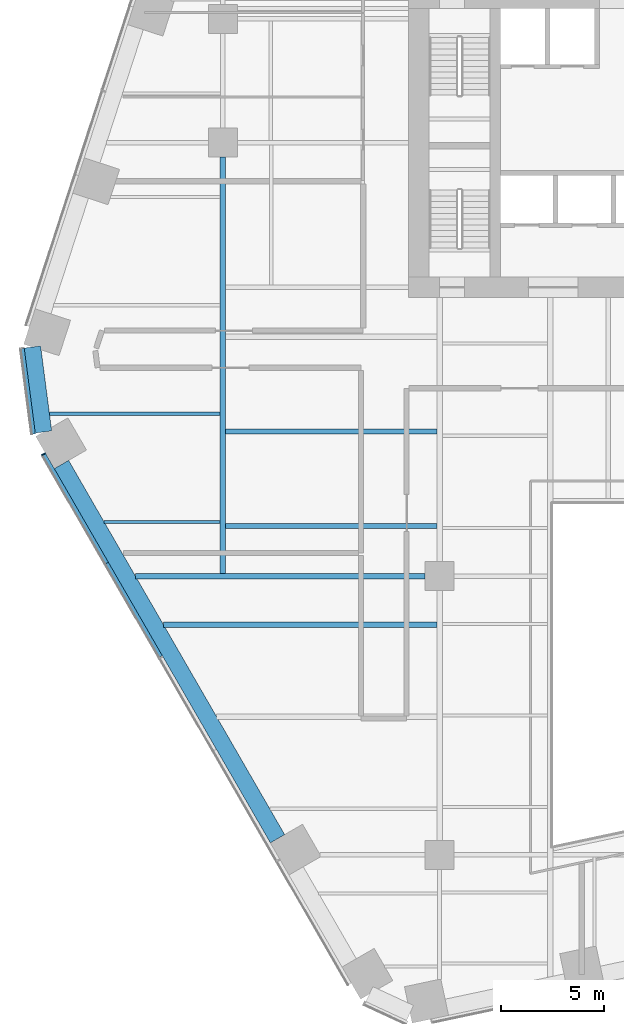
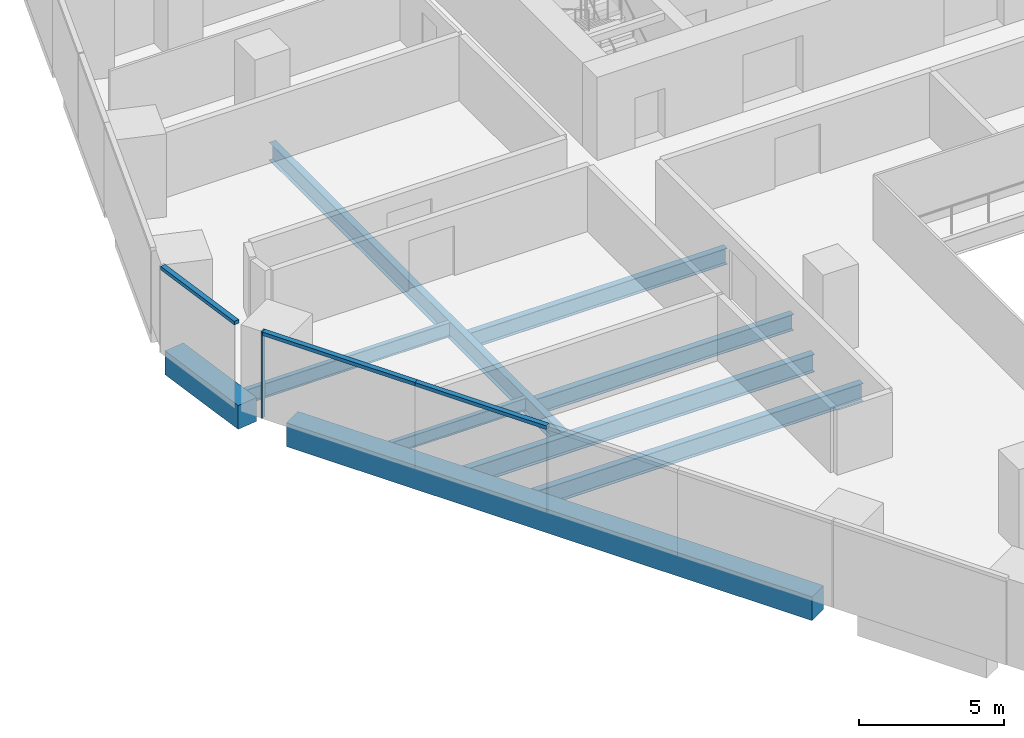
# One storey, part 3 of 20: 9 beams, 4 members, 2 elements without a shape of their own.
"""IFC4 building model written with IfcOpenShell, lengths in metres."""

from ifc_helpers import new_model, si_unit, direction, frame, origin, origin_2d, place, context, subcontext, project, spatial, rectangle, i_section, extrude, material, layer, layer_set, material_profile, profile_set, type_object, element, aggregate, save


model = new_model("IFC4")

# Units and contexts
model_context = context("Model", 3, precision=1e-05, world=origin(), true_north=direction((0.0, 1.0)))
body_context = subcontext(model_context, "Body", "Model", "MODEL_VIEW")
ifc_project = project(units=[si_unit("LENGTHUNIT", "METRE"), si_unit("AREAUNIT", "SQUARE_METRE"), si_unit("VOLUMEUNIT", "CUBIC_METRE"), si_unit("PLANEANGLEUNIT", "RADIAN"), si_unit("MASSUNIT", "GRAM", prefix="KILO")], contexts=[model_context])

# Site, building, storey
site_placement = place(None, origin())
site = spatial("IfcSite", under=ifc_project, at=site_placement, CompositionType="ELEMENT")
building_placement = place(site_placement, origin())
building = spatial("IfcBuilding", under=site, at=building_placement, Name="Isthmus Gate Tower", CompositionType="ELEMENT")
storey_placement = place(building_placement, frame((0.0, 0.0, 61.550048828125)))
storey = spatial("IfcBuildingStorey", under=building, at=storey_placement, Name="L13", CompositionType="ELEMENT", Elevation=61.550048828125)

# Curtain wall, member
ifc_material_1 = material(Name="Aluminium, pale champagne anodised", Category="aluminium")
ifc_layer = layer(ifc_material_1, 0.199951171875)
ifc_layer_set = layer_set([ifc_layer], Name="CW-1 UNITISED CURTAIN WALL 200 DEEP")
curtain_wall_type = type_object("IfcCurtainWallType", Name="CW-1 UNITISED CURTAIN WALL 200 DEEP", PredefinedType="NOTDEFINED", material=ifc_layer_set)
curtain_wall_1_placement = place(storey_placement, origin())
curtain_wall_1 = element("IfcCurtainWall", 1, at=curtain_wall_1_placement, inside=storey, type_object=curtain_wall_type, Name="CW-1 SW L13", PredefinedType="NOTDEFINED")
ifc_material_2 = material(Name="Aluminium, pale champagne anodised", Category="aluminium")
ifc_material_profile_1 = material_profile(ifc_material_2, rectangle(XDim=0.06005859375, YDim=0.199951171875, at=origin_2d()), Name="60x200")
ifc_profile_set_1 = profile_set([ifc_material_profile_1], Name="Aluminium, pale champagne anodised")
member_type_1 = type_object("IfcMemberType", Name="CW-1 MULLION 60 X 200", PredefinedType="MULLION", material=ifc_profile_set_1)
member_1_placement = place(storey_placement, frame((-32.685302734375, -7.58740234375, 0.0), z_axis=(0.0, 0.0, 1.0), x_axis=(0.5, -0.866025403784, 0.0)))
member_1 = element("IfcMember", 2, at=member_1_placement, type_object=member_type_1, Name="CW-1 mullion", PredefinedType="MULLION", context=body_context, shape_type="SweptSolid", body=[
    extrude(rectangle(XDim=0.06005859375, YDim=0.199951171875, at=origin_2d()), origin(), (0.0, 0.0, 1.0), 3.64990234375),
])

curtain_wall_2_placement = place(storey_placement, origin())
curtain_wall_2 = element("IfcCurtainWall", 3, at=curtain_wall_2_placement, inside=storey, type_object=curtain_wall_type, Name="CW-1 NW-SW L13", PredefinedType="NOTDEFINED")
ifc_material_3 = material(Name="Aluminium, pale champagne anodised", Category="aluminium")
ifc_material_profile_2 = material_profile(ifc_material_3, rectangle(XDim=0.199951171875, YDim=0.14990234375, at=origin_2d()), Name="200x150")
ifc_profile_set_2 = profile_set([ifc_material_profile_2], Name="Aluminium, pale champagne anodised")
member_type_2 = type_object("IfcMemberType", Name="CW-1 TRANSOM 200 X 150", PredefinedType="USERDEFINED", material=ifc_profile_set_2)
member_2_placement = place(storey_placement, frame((-33.71923828125, -2.474609375, 3.574951171875), z_axis=(0.129206893318, -0.991617657527, 0.0), x_axis=(0.991617657527, 0.129206893318, 0.0)))
member_2 = element("IfcMember", 4, at=member_2_placement, type_object=member_type_2, Name="CW-1 transom", ObjectType="TRANSOM", PredefinedType="USERDEFINED", context=body_context, shape_type="SweptSolid", body=[
    extrude(rectangle(XDim=0.199951171875, YDim=0.14990234375, at=origin_2d()), origin(), (0.0, 0.0, 1.0), 4.181640625),
])
aggregate(curtain_wall_2, [member_2])

# Member
member_3_placement = place(storey_placement, frame((-32.67041015625, -7.61328125, 3.574951171875), z_axis=(0.49999965181, -0.866025604812, 0.0), x_axis=(0.866025604812, 0.49999965181, 0.0)))
member_3 = element("IfcMember", 5, at=member_3_placement, type_object=member_type_2, Name="CW-1 transom", ObjectType="TRANSOM", PredefinedType="USERDEFINED", context=body_context, shape_type="SweptSolid", body=[
    extrude(rectangle(XDim=0.199951171875, YDim=0.14990234375, at=origin_2d()), origin(), (0.0, 0.0, 1.0), 6.07373046875),
])

member_4_placement = place(storey_placement, frame((-29.633544921875, -12.873291015625, 3.574951171875), z_axis=(0.500017221754, -0.866015460572, 0.0), x_axis=(0.866015460572, 0.500017221754, 0.0)))
member_4 = element("IfcMember", 6, at=member_4_placement, type_object=member_type_2, Name="CW-1 transom", ObjectType="TRANSOM", PredefinedType="USERDEFINED", context=body_context, shape_type="SweptSolid", body=[
    extrude(rectangle(XDim=0.199951171875, YDim=0.14990234375, at=origin_2d()), origin(), (0.0, 0.0, 1.0), 5.233642578125),
])

aggregate(curtain_wall_1, [member_1, member_3, member_4])

# Beams
ifc_material_4 = material(Name="Concrete f'c 70 MPa", Category="concrete")
ifc_material_profile_3 = material_profile(ifc_material_4, rectangle(XDim=0.800048828125, YDim=1.0, at=origin_2d()), Name="RC 800X1000")
ifc_profile_set_3 = profile_set([ifc_material_profile_3], Name="Concrete f'c 70 MPa")
beam_type_1 = type_object("IfcBeamType", Name="RC SPANDREL 800 X 1000", PredefinedType="SPANDREL", material=ifc_profile_set_3)
beam_1_placement = place(storey_placement, frame((-21.35009765625, -26.220458984375, -0.5), z_axis=(-0.500004778811, 0.866022644719, 0.0), x_axis=(-0.866022644719, -0.500004778811, 0.0)))
element("IfcBeam", 7, at=beam_1_placement, inside=storey, type_object=beam_type_1, Name="str-spandrel-L13-16", PredefinedType="SPANDREL", context=body_context, shape_type="SweptSolid", body=[
    extrude(rectangle(XDim=0.800048828125, YDim=1.0, at=origin_2d()), origin(), (0.0, 0.0, 1.0), 20.934326171875),
])
beam_2_placement = place(storey_placement, frame((-32.6884765625, -6.515380859375, -0.5), z_axis=(-0.129170777359, 0.991622362735, 0.0), x_axis=(-0.991622362735, -0.129170777359, 0.0)))
element("IfcBeam", 8, at=beam_2_placement, inside=storey, type_object=beam_type_1, Name="str-spandrel-L13-17", PredefinedType="SPANDREL", context=body_context, shape_type="SweptSolid", body=[
    extrude(rectangle(XDim=0.800048828125, YDim=1.0, at=origin_2d()), origin(), (0.0, 0.0, 1.0), 4.15234375),
])
ifc_material_5 = material(Name="Structural steel ASTM A992 Gr 50", Category="steel")
ifc_material_profile_4 = material_profile(ifc_material_5, i_section(OverallWidth=0.1650390625, OverallDepth=0.52392578125, WebThickness=0.009521484375, FlangeThickness=0.010986328125, at=origin_2d()), Name="W21X44")
ifc_profile_set_4 = profile_set([ifc_material_profile_4], Name="Structural steel ASTM A992 Gr 50")
beam_type_2 = type_object("IfcBeamType", Name="STEEL FLOOR BEAM W21X44", PredefinedType="JOIST", material=ifc_profile_set_4)
beam_3_placement = place(storey_placement, frame((-29.748046875, -10.875, -0.412109375), z_axis=(1.0, 0.0, 0.0), x_axis=(0.0, 1.0, 0.0)))
element("IfcBeam", 9, at=beam_3_placement, inside=storey, type_object=beam_type_2, Name="str-beam-L13-00-00", PredefinedType="JOIST", context=body_context, shape_type="SweptSolid", body=[
    extrude(i_section(OverallWidth=0.1650390625, OverallDepth=0.52392578125, WebThickness=0.009521484375, FlangeThickness=0.010986328125, at=origin_2d()), origin(), (0.0, 0.0, 1.0), 5.61474609375),
])
ifc_material_6 = material(Name="Structural steel ASTM A992 Gr 50", Category="steel")
ifc_material_profile_5 = material_profile(ifc_material_6, i_section(OverallWidth=0.177734375, OverallDepth=0.60009765625, WebThickness=0.009521484375, FlangeThickness=0.0126953125, at=origin_2d()), Name="W24X55")
ifc_profile_set_5 = profile_set([ifc_material_profile_5], Name="Structural steel ASTM A992 Gr 50")
beam_type_3 = type_object("IfcBeamType", Name="STEEL FLOOR BEAM W24X55", PredefinedType="JOIST", material=ifc_profile_set_5)
beam_4_placement = place(storey_placement, frame((-32.401123046875, -5.625, -0.4501953125), z_axis=(1.0, 0.0, 0.0), x_axis=(0.0, 1.0, 0.0)))
element("IfcBeam", 10, at=beam_4_placement, inside=storey, type_object=beam_type_3, Name="str-beam-L13-00-01", PredefinedType="JOIST", context=body_context, shape_type="SweptSolid", body=[
    extrude(i_section(OverallWidth=0.177734375, OverallDepth=0.60009765625, WebThickness=0.009521484375, FlangeThickness=0.0126953125, at=origin_2d()), origin(), (0.0, 0.0, 1.0), 8.267822265625),
])
ifc_material_7 = material(Name="Structural steel ASTM A992 Gr 50", Category="steel")
ifc_material_profile_6 = material_profile(ifc_material_7, i_section(OverallWidth=0.25390625, OverallDepth=0.679443359375, WebThickness=0.010986328125, FlangeThickness=0.015869140625, at=origin_2d()), Name="W27X84")
ifc_profile_set_6 = profile_set([ifc_material_profile_6], Name="Structural steel ASTM A992 Gr 50")
beam_type_4 = type_object("IfcBeamType", Name="STEEL FLOOR BEAM W27X84", PredefinedType="JOIST", material=ifc_profile_set_6)
for number, where, z_axis, x_axis, name in (
    (11, (-23.86669921875, -11.07470703125, -0.48974609375), (1.0, 0.0, 0.0), (0.0, 1.0, 0.0), "str-beam-L13-07-00"),
    (12, (-23.86669921875, -6.490478515625, -0.48974609375), (1.0, 0.0, 0.0), (0.0, 1.0, 0.0), "str-beam-L13-07-01"),
):
    element("IfcBeam", number, at=place(storey_placement, frame(where, z_axis=z_axis, x_axis=x_axis)), inside=storey, type_object=beam_type_4, Name=name, PredefinedType="JOIST", context=body_context, shape_type="SweptSolid", body=[
        extrude(i_section(OverallWidth=0.25390625, OverallDepth=0.679443359375, WebThickness=0.010986328125, FlangeThickness=0.015869140625, at=origin_2d()), origin(), (0.0, 0.0, 1.0), 10.23486328125),
    ])
ifc_material_8 = material(Name="Structural steel ASTM A992 Gr 50", Category="steel")
ifc_material_profile_7 = material_profile(ifc_material_8, i_section(OverallWidth=0.263427734375, OverallDepth=0.749267578125, WebThickness=0.0126953125, FlangeThickness=0.015869140625, at=origin_2d()), Name="W30X90")
ifc_profile_set_7 = profile_set([ifc_material_profile_7], Name="Structural steel ASTM A992 Gr 50")
beam_type_5 = type_object("IfcBeamType", Name="STEEL FLOOR BEAM W30X90", PredefinedType="JOIST", material=ifc_profile_set_7)
beam_5_placement = place(storey_placement, frame((-26.869140625, -15.861083984375, -0.524658203125), z_axis=(1.0, 0.0, 0.0), x_axis=(0.0, 1.0, 0.0)))
element("IfcBeam", 13, at=beam_5_placement, inside=storey, type_object=beam_type_5, Name="str-beam-L13-05-02", PredefinedType="JOIST", context=body_context, shape_type="SweptSolid", body=[
    extrude(i_section(OverallWidth=0.263427734375, OverallDepth=0.749267578125, WebThickness=0.0126953125, FlangeThickness=0.015869140625, at=origin_2d()), origin(), (0.0, 0.0, 1.0), 13.2373046875),
])
ifc_material_9 = material(Name="Structural steel ASTM A992 Gr 50", Category="steel")
ifc_material_profile_8 = material_profile(ifc_material_9, i_section(OverallWidth=0.2666015625, OverallDepth=0.7587890625, WebThickness=0.014404296875, FlangeThickness=0.01904296875, at=origin_2d()), Name="W30X108")
ifc_profile_set_8 = profile_set([ifc_material_profile_8], Name="Structural steel ASTM A992 Gr 50")
beam_type_6 = type_object("IfcBeamType", Name="STEEL GIRDER W30X108", PredefinedType="BEAM", material=ifc_profile_set_8)
beam_6_placement = place(storey_placement, frame((-28.232421875, -13.5, -0.529541015625), z_axis=(1.0, 0.0, 0.0), x_axis=(0.0, 1.0, 0.0)))
element("IfcBeam", 14, at=beam_6_placement, inside=storey, type_object=beam_type_6, Name="str-girder-L13-05", PredefinedType="BEAM", context=body_context, shape_type="SweptSolid", body=[
    extrude(i_section(OverallWidth=0.2666015625, OverallDepth=0.7587890625, WebThickness=0.014404296875, FlangeThickness=0.01904296875, at=origin_2d()), origin(), (0.0, 0.0, 1.0), 14.032470703125),
])
beam_7_placement = place(storey_placement, frame((-24.0, -13.36669921875, -0.529541015625), z_axis=(0.0, 1.0, 0.0), x_axis=(-1.0, 0.0, 0.0)))
element("IfcBeam", 15, at=beam_7_placement, inside=storey, type_object=beam_type_6, Name="str-girder-L13-20", PredefinedType="BEAM", context=body_context, shape_type="SweptSolid", body=[
    extrude(i_section(OverallWidth=0.2666015625, OverallDepth=0.7587890625, WebThickness=0.014404296875, FlangeThickness=0.01904296875, at=origin_2d()), origin(), (0.0, 0.0, 1.0), 20.166748046875),
])

save(model, "model.ifc")
